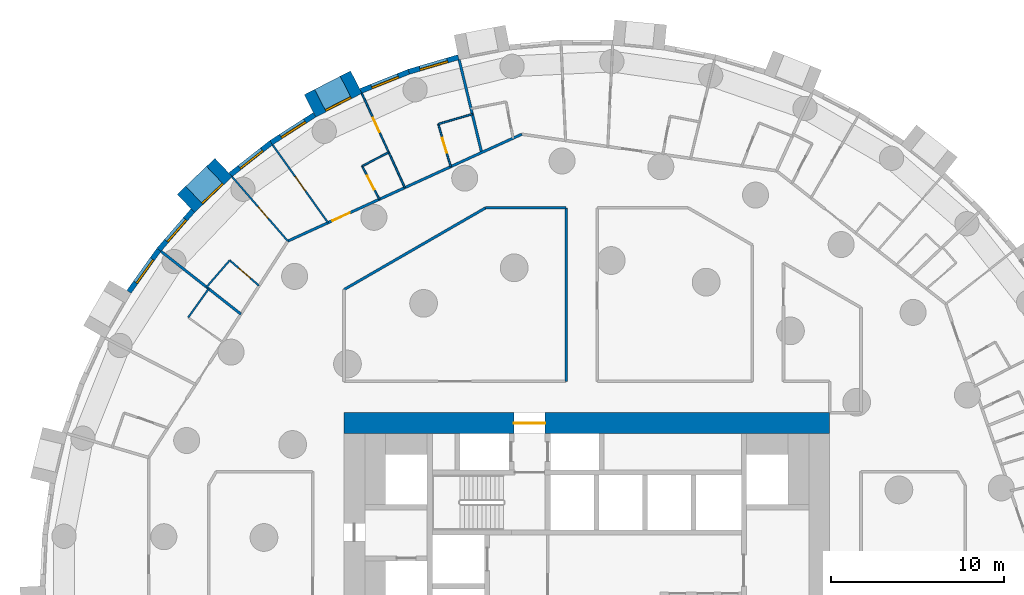
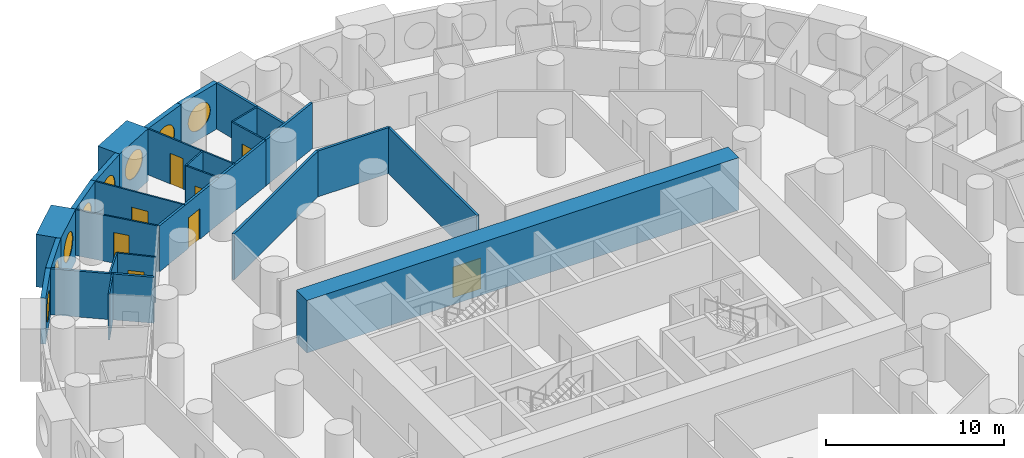
# One storey, part 7 of 12: 27 walls, 8 doors, 8 windows, 16 openings.
"""IFC4 building model written with IfcOpenShell, lengths in metres."""

import ifcopenshell
import ifcopenshell.guid

model = None  # the IFC model being written
_history = None  # IfcOwnerHistory: only IFC2X3 demands one
_inside = {}  # id of a spatial element -> (the spatial element, [elements in it])
_under = {}  # id of a project, library or spatial element -> (it, [spatial elements below it])
_declared = {}  # id of a project -> (the project, [libraries it declares])
_typed = {}  # id of a type object -> (the type object, [elements of that type])
_made_of = {}  # id of a material, layer set ... -> (it, [elements and type objects made of it])


def new_model(schema):
    """Start an empty IFC model of exactly this schema.

    Asked for "IFC4X3", IfcOpenShell would pick the latest addendum, in which some entities
    have other attributes; the version numbers below select the first issue.
    IFC2X3 requires an IfcOwnerHistory on every rooted entity: one is made here for all.
    """
    global model, _history
    if schema == "IFC4X3":
        model = ifcopenshell.file(schema_version=(4, 3, 0, 0))
    else:
        model = ifcopenshell.file(schema=schema)
    _inside.clear()
    _under.clear()
    _declared.clear()
    _typed.clear()
    _made_of.clear()
    _history = None
    if model.schema == "IFC2X3":
        org = make("IfcOrganization", Name="unknown")
        user = make(
            "IfcPersonAndOrganization",
            ThePerson=make("IfcPerson", FamilyName="unknown"),
            TheOrganization=org,
        )
        app = make(
            "IfcApplication",
            ApplicationDeveloper=org,
            Version="unknown",
            ApplicationFullName="unknown",
            ApplicationIdentifier="unknown",
        )
        _history = make(
            "IfcOwnerHistory",
            OwningUser=user,
            OwningApplication=app,
            ChangeAction="ADDED",
            CreationDate=0,
        )
    return model


def make(cls, **values):
    """One entity of the class cls with the attributes given. An attribute that is None is left unset."""
    return model.create_entity(
        cls, **{name: value for name, value in values.items() if value is not None}
    )


def rooted(cls, **values):
    """An entity with a GlobalId (a new one), such as an element, a storey or a relation."""
    return make(cls, GlobalId=ifcopenshell.guid.new(), OwnerHistory=_history, **values)


def si_unit(unit_type, name, prefix=None):
    """IfcSIUnit, for example si_unit("LENGTHUNIT", "METRE", prefix="MILLI")."""
    return make("IfcSIUnit", UnitType=unit_type, Prefix=prefix, Name=name)


def assignment(units):
    """IfcUnitAssignment: the units of a project."""
    return None if units is None else make("IfcUnitAssignment", Units=units)


def point(xyz):
    """IfcCartesianPoint."""
    return None if xyz is None else make("IfcCartesianPoint", Coordinates=xyz)


def direction(xyz):
    """IfcDirection."""
    return None if xyz is None else make("IfcDirection", DirectionRatios=xyz)


def frame(location, z_axis=None, x_axis=None):
    """IfcAxis2Placement3D, a coordinate frame: its origin and axes. An axis left out is left unset."""
    return make(
        "IfcAxis2Placement3D",
        Location=point(location),
        Axis=direction(z_axis),
        RefDirection=direction(x_axis),
    )


def frame_2d(location, x_axis=None):
    """IfcAxis2Placement2D, a coordinate frame in the plane: its origin and x axis."""
    return make(
        "IfcAxis2Placement2D", Location=point(location), RefDirection=direction(x_axis)
    )


def origin():
    """The frame at (0, 0, 0) with its axes left unset."""
    return frame((0.0, 0.0, 0.0))


def origin_2d():
    """The frame at (0, 0) in the plane with its x axis left unset."""
    return frame_2d((0.0, 0.0))


def place(relative_to, where):
    """IfcLocalPlacement: puts the frame where relative to a parent placement (None: the world)."""
    return make(
        "IfcLocalPlacement", PlacementRelTo=relative_to, RelativePlacement=where
    )


def context(
    kind, dimensions, precision=None, world=None, true_north=None, identifier=None
):
    """IfcGeometricRepresentationContext, for example the 3D "Model" context."""
    return make(
        "IfcGeometricRepresentationContext",
        ContextIdentifier=identifier,
        ContextType=kind,
        CoordinateSpaceDimension=dimensions,
        Precision=precision,
        WorldCoordinateSystem=world,
        TrueNorth=true_north,
    )


def subcontext(parent, identifier, kind, view, scale=None):
    """IfcGeometricRepresentationSubContext, for example "Body" below "Model"."""
    return make(
        "IfcGeometricRepresentationSubContext",
        ContextIdentifier=identifier,
        ContextType=kind,
        ParentContext=parent,
        TargetScale=scale,
        TargetView=view,
    )


def project(units=None, contexts=None):
    """IfcProject with its units and contexts."""
    return rooted(
        "IfcProject",
        Name="project",
        RepresentationContexts=contexts,
        UnitsInContext=assignment(units),
    )


def spatial(cls, under=None, at=None, **own):
    """A site, building, storey or space (cls), placed at a placement, below another one or the project."""
    s = rooted(cls, ObjectPlacement=at, **own)
    if under is not None:
        _under.setdefault(under.id(), (under, []))[1].append(s)
    return s


def profile(cls, at=None, kind="AREA", **sizes):
    """A parametric profile (cls). Its sizes go by their IFC names, for example OverallWidth=200.0."""
    return make(cls, ProfileType=kind, Position=at, **sizes)


def rectangle(**sizes):
    """IfcRectangleProfileDef."""
    return profile("IfcRectangleProfileDef", **sizes)


def circle(**sizes):
    """IfcCircleProfileDef."""
    return profile("IfcCircleProfileDef", **sizes)


def extrude(swept, where, along, depth):
    """IfcExtrudedAreaSolid: the profile swept, set in the frame where, extruded along a direction by depth."""
    return make(
        "IfcExtrudedAreaSolid",
        SweptArea=swept,
        Position=where,
        ExtrudedDirection=direction(along),
        Depth=depth,
    )


def shape(context_of_items, identifier, shape_type, items):
    """IfcShapeRepresentation: the items that make up one representation, for example the "Body"."""
    return make(
        "IfcShapeRepresentation",
        ContextOfItems=context_of_items,
        RepresentationIdentifier=identifier,
        RepresentationType=shape_type,
        Items=items,
    )


def material(Name=None, Category=None):
    """IfcMaterial."""
    return make("IfcMaterial", Name=Name, Category=Category)


def layer(
    of_material, thickness, ventilated=None, Name=None, Category=None, Priority=None
):
    """IfcMaterialLayer: one layer of a wall or slab, of a material (None: an air gap)."""
    return make(
        "IfcMaterialLayer",
        Material=of_material,
        LayerThickness=thickness,
        IsVentilated=ventilated,
        Name=Name,
        Category=Category,
        Priority=Priority,
    )


def layer_set(layers, Name=None):
    """IfcMaterialLayerSet."""
    return make("IfcMaterialLayerSet", MaterialLayers=layers, LayerSetName=Name)


def made_of(thing, what):
    """Note that an element or type object is made of a material, layer set ...; save() writes the relation."""
    if what is not None:
        _made_of.setdefault(what.id(), (what, []))[1].append(thing)
    return thing


def type_object(cls, material=None, **own):
    """A type object (cls), such as IfcWallType, which elements share."""
    return made_of(rooted(cls, **own), material)


def element(
    cls,
    number,
    at=None,
    inside=None,
    cuts=None,
    type_object=None,
    material=None,
    context=None,
    identifier="Body",
    shape_type=None,
    held_by="IfcProductDefinitionShape",
    body=None,
    shapes=None,
    **own,
):
    """One element of the class cls, such as IfcWall. Its Tag is "e" and its number.

    at: its placement. inside: the storey or other place that contains it. cuts: it is an
    opening in that element (IfcRelVoidsElement). A single representation is given by context,
    identifier, shape_type and body (its items); several are given by shapes. held_by: the class
    of the entity that holds the representations. save() writes the other relations.
    """
    e = rooted(cls, Tag="e%d" % number, ObjectPlacement=at, **own)
    if body is not None:
        shapes = [shape(context, identifier, shape_type, body)]
    if shapes is not None:
        e.Representation = make(held_by, Representations=shapes)
    if inside is not None:
        _inside.setdefault(inside.id(), (inside, []))[1].append(e)
    if cuts is not None:
        rooted(
            "IfcRelVoidsElement", RelatingBuildingElement=cuts, RelatedOpeningElement=e
        )
    if type_object is not None:
        _typed.setdefault(type_object.id(), (type_object, []))[1].append(e)
    return made_of(e, material)


def fill(opening, filler):
    """IfcRelFillsElement: the door or window that sits in an opening."""
    return rooted(
        "IfcRelFillsElement",
        RelatingOpeningElement=opening,
        RelatedBuildingElement=filler,
    )


def aggregate(whole, parts):
    """IfcRelAggregates: a whole, such as a stair, and the parts it consists of."""
    return rooted("IfcRelAggregates", RelatingObject=whole, RelatedObjects=parts)


def save(model, path):
    """Write the relations noted so far, then the file.

    IfcRelAggregates (storeys below a building ...), IfcRelContainedInSpatialStructure (elements
    in a storey), IfcRelDefinesByType, IfcRelAssociatesMaterial and IfcRelDeclares: one each for
    every whole, place, type object, material and project.
    """
    for whole, parts in _under.values():
        aggregate(whole, parts)
    for where, things in _inside.values():
        rooted(
            "IfcRelContainedInSpatialStructure",
            RelatedElements=things,
            RelatingStructure=where,
        )
    for kind, things in _typed.values():
        rooted("IfcRelDefinesByType", RelatedObjects=things, RelatingType=kind)
    for what, things in _made_of.values():
        rooted("IfcRelAssociatesMaterial", RelatedObjects=things, RelatingMaterial=what)
    for by, libraries in _declared.values():
        rooted("IfcRelDeclares", RelatingContext=by, RelatedDefinitions=libraries)
    model.write(path)


model = new_model("IFC4")

# Units and contexts
model_context = context("Model", 3, precision=1e-05, world=origin(), true_north=direction((0.0, 1.0)))
body_context = subcontext(model_context, "Body", "Model", "MODEL_VIEW")
ifc_project = project(units=[si_unit("LENGTHUNIT", "METRE"), si_unit("AREAUNIT", "SQUARE_METRE"), si_unit("VOLUMEUNIT", "CUBIC_METRE"), si_unit("PLANEANGLEUNIT", "RADIAN"), si_unit("MASSUNIT", "GRAM", prefix="KILO")], contexts=[model_context])

# Site, building, storey
site_placement = place(None, origin())
site = spatial("IfcSite", under=ifc_project, at=site_placement, CompositionType="ELEMENT")
building_placement = place(site_placement, origin())
building = spatial("IfcBuilding", under=site, at=building_placement, Name="Tracery Tower", CompositionType="ELEMENT")
storey_placement = place(building_placement, frame((0.0, 0.0, 39.0)))
storey = spatial("IfcBuildingStorey", under=building, at=storey_placement, Name="L08", CompositionType="ELEMENT", Elevation=39.0)

# Wall, opening, door
ifc_material_1 = material(Name="Concrete C60/75", Category="concrete")
ifc_layer_1 = layer(ifc_material_1, 1.199951171875)
ifc_layer_set_1 = layer_set([ifc_layer_1], Name="Core wall 1200 C60")
wall_type_1 = type_object("IfcWallType", Name="Core wall 1200 C60", PredefinedType="SOLIDWALL", material=ifc_layer_set_1)
wall_1_placement = place(storey_placement, frame((-14.0, 9.39990234375, 0.0), z_axis=(0.0, 0.0, 1.0), x_axis=(1.0, 0.0, 0.0)))
wall_1 = element("IfcWall", 1, at=wall_1_placement, inside=storey, type_object=wall_type_1, Name="L08 outer N", PredefinedType="SOLIDWALL", context=body_context, shape_type="SweptSolid", body=[
    extrude(rectangle(XDim=28.0, YDim=1.199951171875, at=frame_2d((14.0, 0.0))), origin(), (0.0, 0.0, 1.0), 3.60009765625),
])
opening_1_placement = place(wall_1_placement, frame((9.800048828125, 0.0, 0.0)))
opening_1 = element("IfcOpeningElement", 2, at=opening_1_placement, cuts=wall_1, Name="Opening KD13", PredefinedType="OPENING", context=body_context, shape_type="SweptSolid", body=[
    extrude(rectangle(XDim=1.800048828125, YDim=2.10009765625, at=frame_2d((0.89990234375, 1.050048828125))), frame((0.0, 0.60009765625, 0.0), z_axis=(0.0, -1.0, 0.0), x_axis=(1.0, 0.0, 0.0)), (0.0, 0.0, 1.0), 1.199951171875),
])
ifc_material_2 = material(Name="Steel fire door", Category="steel")
door_type_1 = type_object("IfcDoorType", Name="Core exit door 1800 double", OperationType="NOTDEFINED", PredefinedType="DOOR", material=ifc_material_2)
door_1_placement = place(opening_1_placement, origin())
door_1 = element("IfcDoor", 3, at=door_1_placement, inside=storey, type_object=door_type_1, Name="Core exit door", OperationType="DOUBLE_DOOR_SINGLE_SWING", OverallHeight=2.10009765625, OverallWidth=1.800048828125, PredefinedType="DOOR", context=body_context, shape_type="SweptSolid", body=[
    extrude(rectangle(XDim=1.800048828125, YDim=2.10009765625, at=frame_2d((0.89990234375, 1.050048828125))), frame((0.0, 0.02490234375, 0.0), z_axis=(0.0, -1.0, 0.0), x_axis=(1.0, 0.0, 0.0)), (0.0, 0.0, 1.0), 0.050048828125),
])
fill(opening_1, door_1)

# Wall, opening, window
ifc_material_3 = material(Name="Precast concrete C50/60", Category="concrete")
ifc_layer_2 = layer(ifc_material_3, 1.449951171875)
ifc_layer_set_2 = layer_set([ifc_layer_2], Name="Deep-set bay unit 3000 x 3600, slab edge 450")
wall_type_2 = type_object("IfcWallType", Name="Deep-set bay unit 3000 x 3600, slab edge 450", PredefinedType="ELEMENTEDWALL", material=ifc_layer_set_2)
wall_2_placement = place(storey_placement, frame((-13.29052734375, 29.053466796875, -0.449951171875), z_axis=(0.0, 0.0, 1.0), x_axis=(-0.888858064689, -0.458182650083, 0.0)))
wall_2 = element("IfcWall", 4, at=wall_2_placement, inside=storey, type_object=wall_type_2, Name="Deep-set bay unit 22 at L08", PredefinedType="ELEMENTEDWALL", context=body_context, shape_type="SweptSolid", body=[
    extrude(rectangle(XDim=3.0, YDim=1.449951171875, at=frame_2d((1.5, 0.0))), origin(), (0.0, 0.0, 1.0), 3.599853515625),
])
opening_2_placement = place(wall_2_placement, frame((1.5, 0.0, 2.0)))
opening_2 = element("IfcOpeningElement", 5, at=opening_2_placement, cuts=wall_2, Name="Opening WN1", PredefinedType="OPENING", context=body_context, shape_type="SweptSolid", body=[
    extrude(circle(Radius=0.9000244140625, at=origin_2d()), frame((0.0, 0.73486328125, 0.0), z_axis=(0.0, -1.0, 0.0), x_axis=(1.0, 0.0, 0.0)), (0.0, 0.0, 1.0), 1.469970703125),
])
ifc_material_4 = material(Name="Aluminium frame with tinted double glazing", Category="aluminium")
window_type = type_object("IfcWindowType", Name="Round window 1800", PartitioningType="SINGLE_PANEL", PredefinedType="WINDOW", material=ifc_material_4)
window_1_placement = place(opening_2_placement, origin())
window_1 = element("IfcWindow", 6, at=window_1_placement, inside=storey, type_object=window_type, Name="Round window 22 at L08", OverallHeight=1.800048828125, OverallWidth=1.800048828125, PartitioningType="SINGLE_PANEL", PredefinedType="WINDOW", context=body_context, shape_type="SweptSolid", body=[
    extrude(circle(Radius=0.9000244140625, at=origin_2d()), frame((0.0, 0.69482421875, 0.0), z_axis=(0.0, -1.0, 0.0), x_axis=(1.0, 0.0, 0.0)), (0.0, 0.0, 1.0), 0.10009765625),
])
fill(opening_2, window_1)

wall_3_placement = place(storey_placement, frame((-20.9375, 24.13232421875, -0.449951171875), z_axis=(0.0, 0.0, 1.0), x_axis=(-0.723712023899, -0.690102098579, 0.0)))
wall_3 = element("IfcWall", 7, at=wall_3_placement, inside=storey, type_object=wall_type_2, Name="Deep-set bay unit 25 at L08", PredefinedType="ELEMENTEDWALL", context=body_context, shape_type="SweptSolid", body=[
    extrude(rectangle(XDim=3.0, YDim=1.449951171875, at=frame_2d((1.5, 0.0))), origin(), (0.0, 0.0, 1.0), 3.599853515625),
])
opening_3_placement = place(wall_3_placement, frame((1.5, 0.0, 2.0)))
opening_3 = element("IfcOpeningElement", 8, at=opening_3_placement, cuts=wall_3, Name="Opening WN1", PredefinedType="OPENING", context=body_context, shape_type="SweptSolid", body=[
    extrude(circle(Radius=0.9000244140625, at=origin_2d()), frame((0.0, 0.73486328125, 0.0), z_axis=(0.0, -1.0, 0.0), x_axis=(1.0, 0.0, 0.0)), (0.0, 0.0, 1.0), 1.469970703125),
])
window_2_placement = place(opening_3_placement, origin())
window_2 = element("IfcWindow", 9, at=window_2_placement, inside=storey, type_object=window_type, Name="Round window 25 at L08", OverallHeight=1.800048828125, OverallWidth=1.800048828125, PartitioningType="SINGLE_PANEL", PredefinedType="WINDOW", context=body_context, shape_type="SweptSolid", body=[
    extrude(circle(Radius=0.9000244140625, at=origin_2d()), frame((0.0, 0.69482421875, 0.0), z_axis=(0.0, -1.0, 0.0), x_axis=(1.0, 0.0, 0.0)), (0.0, 0.0, 1.0), 0.10009765625),
])
fill(opening_3, window_2)

ifc_material_5 = material(Name="Precast concrete C50/60", Category="concrete")
ifc_layer_3 = layer(ifc_material_5, 0.300048828125)
ifc_layer_set_3 = layer_set([ifc_layer_3], Name="Facade panel 3000 x 3150")
wall_type_3 = type_object("IfcWallType", Name="Facade panel 3000 x 3150", PredefinedType="SOLIDWALL", material=ifc_layer_set_3)
wall_4_placement = place(storey_placement, frame((-7.402587890625, 30.48828125, 0.0), z_axis=(0.0, 0.0, 1.0), x_axis=(-0.959501085144, -0.281704930036, 0.0)))
wall_4 = element("IfcWall", 10, at=wall_4_placement, inside=storey, type_object=wall_type_3, Name="Facade panel 20 at L08", PredefinedType="SOLIDWALL", context=body_context, shape_type="SweptSolid", body=[
    extrude(rectangle(XDim=2.9794921875, YDim=0.300048828125, at=frame_2d((1.48974609375, 0.0))), origin(), (0.0, 0.0, 1.0), 3.14990234375),
])
opening_4_placement = place(wall_4_placement, frame((1.48974609375, 0.0, 1.5498046875)))
opening_4 = element("IfcOpeningElement", 11, at=opening_4_placement, cuts=wall_4, Name="Opening WN1", PredefinedType="OPENING", context=body_context, shape_type="SweptSolid", body=[
    extrude(circle(Radius=0.9000244140625, at=origin_2d()), frame((0.0, 0.159912109375, 0.0), z_axis=(0.0, -1.0, 0.0), x_axis=(1.0, 0.0, 0.0)), (0.0, 0.0, 1.0), 0.320068359375),
])
window_3_placement = place(opening_4_placement, origin())
window_3 = element("IfcWindow", 12, at=window_3_placement, inside=storey, type_object=window_type, Name="Round window 20 at L08", OverallHeight=1.800048828125, OverallWidth=1.800048828125, PartitioningType="SINGLE_PANEL", PredefinedType="WINDOW", context=body_context, shape_type="SweptSolid", body=[
    extrude(circle(Radius=0.9000244140625, at=origin_2d()), frame((0.0, 0.1201171875, 0.0), z_axis=(0.0, -1.0, 0.0), x_axis=(1.0, 0.0, 0.0)), (0.0, 0.0, 1.0), 0.10009765625),
])
fill(opening_4, window_3)

wall_5_placement = place(storey_placement, frame((-10.261474609375, 29.64892578125, 0.0), z_axis=(0.0, 0.0, 1.0), x_axis=(-0.928374947, -0.371644935098, 0.0)))
wall_5 = element("IfcWall", 13, at=wall_5_placement, inside=storey, type_object=wall_type_3, Name="Facade panel 21 at L08", PredefinedType="SOLIDWALL", context=body_context, shape_type="SweptSolid", body=[
    extrude(rectangle(XDim=2.979736328125, YDim=0.300048828125, at=frame_2d((1.48974609375, 0.0))), origin(), (0.0, 0.0, 1.0), 3.14990234375),
])
opening_5_placement = place(wall_5_placement, frame((1.48974609375, 0.0, 1.5498046875)))
opening_5 = element("IfcOpeningElement", 14, at=opening_5_placement, cuts=wall_5, Name="Opening WN1", PredefinedType="OPENING", context=body_context, shape_type="SweptSolid", body=[
    extrude(circle(Radius=0.9000244140625, at=origin_2d()), frame((0.0, 0.159912109375, 0.0), z_axis=(0.0, -1.0, 0.0), x_axis=(1.0, 0.0, 0.0)), (0.0, 0.0, 1.0), 0.320068359375),
])
window_4_placement = place(opening_5_placement, origin())
window_4 = element("IfcWindow", 15, at=window_4_placement, inside=storey, type_object=window_type, Name="Round window 21 at L08", OverallHeight=1.800048828125, OverallWidth=1.800048828125, PartitioningType="SINGLE_PANEL", PredefinedType="WINDOW", context=body_context, shape_type="SweptSolid", body=[
    extrude(circle(Radius=0.9000244140625, at=origin_2d()), frame((0.0, 0.1201171875, 0.0), z_axis=(0.0, -1.0, 0.0), x_axis=(1.0, 0.0, 0.0)), (0.0, 0.0, 1.0), 0.10009765625),
])
fill(opening_5, window_4)

wall_6_placement = place(storey_placement, frame((-15.6923828125, 27.167724609375, 0.0), z_axis=(0.0, 0.0, 1.0), x_axis=(-0.841260995538, -0.54062920508, 0.0)))
wall_6 = element("IfcWall", 16, at=wall_6_placement, inside=storey, type_object=wall_type_3, Name="Facade panel 23 at L08", PredefinedType="SOLIDWALL", context=body_context, shape_type="SweptSolid", body=[
    extrude(rectangle(XDim=2.9794921875, YDim=0.300048828125, at=frame_2d((1.48974609375, 0.0))), origin(), (0.0, 0.0, 1.0), 3.14990234375),
])
opening_6_placement = place(wall_6_placement, frame((1.48974609375, 0.0, 1.5498046875)))
opening_6 = element("IfcOpeningElement", 17, at=opening_6_placement, cuts=wall_6, Name="Opening WN1", PredefinedType="OPENING", context=body_context, shape_type="SweptSolid", body=[
    extrude(circle(Radius=0.9000244140625, at=origin_2d()), frame((0.0, 0.159912109375, 0.0), z_axis=(0.0, -1.0, 0.0), x_axis=(1.0, 0.0, 0.0)), (0.0, 0.0, 1.0), 0.320068359375),
])
window_5_placement = place(opening_6_placement, origin())
window_5 = element("IfcWindow", 18, at=window_5_placement, inside=storey, type_object=window_type, Name="Round window 23 at L08", OverallHeight=1.800048828125, OverallWidth=1.800048828125, PartitioningType="SINGLE_PANEL", PredefinedType="WINDOW", context=body_context, shape_type="SweptSolid", body=[
    extrude(circle(Radius=0.9000244140625, at=origin_2d()), frame((0.0, 0.1201171875, 0.0), z_axis=(0.0, -1.0, 0.0), x_axis=(1.0, 0.0, 0.0)), (0.0, 0.0, 1.0), 0.10009765625),
])
fill(opening_6, window_5)

wall_7_placement = place(storey_placement, frame((-18.198974609375, 25.556884765625, 0.0), z_axis=(0.0, 0.0, 1.0), x_axis=(-0.786053834673, -0.618158045322, 0.0)))
wall_7 = element("IfcWall", 19, at=wall_7_placement, inside=storey, type_object=wall_type_3, Name="Facade panel 24 at L08", PredefinedType="SOLIDWALL", context=body_context, shape_type="SweptSolid", body=[
    extrude(rectangle(XDim=2.9794921875, YDim=0.300048828125, at=frame_2d((1.48974609375, 0.0))), origin(), (0.0, 0.0, 1.0), 3.14990234375),
])
opening_7_placement = place(wall_7_placement, frame((1.48974609375, 0.0, 1.5498046875)))
opening_7 = element("IfcOpeningElement", 20, at=opening_7_placement, cuts=wall_7, Name="Opening WN1", PredefinedType="OPENING", context=body_context, shape_type="SweptSolid", body=[
    extrude(circle(Radius=0.9000244140625, at=origin_2d()), frame((0.0, 0.159912109375, 0.0), z_axis=(0.0, -1.0, 0.0), x_axis=(1.0, 0.0, 0.0)), (0.0, 0.0, 1.0), 0.320068359375),
])
window_6_placement = place(opening_7_placement, origin())
window_6 = element("IfcWindow", 21, at=window_6_placement, inside=storey, type_object=window_type, Name="Round window 24 at L08", OverallHeight=1.800048828125, OverallWidth=1.800048828125, PartitioningType="SINGLE_PANEL", PredefinedType="WINDOW", context=body_context, shape_type="SweptSolid", body=[
    extrude(circle(Radius=0.9000244140625, at=origin_2d()), frame((0.0, 0.1201171875, 0.0), z_axis=(0.0, -1.0, 0.0), x_axis=(1.0, 0.0, 0.0)), (0.0, 0.0, 1.0), 0.10009765625),
])
fill(opening_7, window_6)

wall_8_placement = place(storey_placement, frame((-22.710693359375, 21.646240234375, 0.0), z_axis=(0.0, 0.0, 1.0), x_axis=(-0.654830712471, -0.755775587066, 0.0)))
wall_8 = element("IfcWall", 22, at=wall_8_placement, inside=storey, type_object=wall_type_3, Name="Facade panel 26 at L08", PredefinedType="SOLIDWALL", context=body_context, shape_type="SweptSolid", body=[
    extrude(rectangle(XDim=2.979736328125, YDim=0.300048828125, at=frame_2d((1.48974609375, 0.0))), origin(), (0.0, 0.0, 1.0), 3.14990234375),
])
opening_8_placement = place(wall_8_placement, frame((1.48974609375, 0.0, 1.5498046875)))
opening_8 = element("IfcOpeningElement", 23, at=opening_8_placement, cuts=wall_8, Name="Opening WN1", PredefinedType="OPENING", context=body_context, shape_type="SweptSolid", body=[
    extrude(circle(Radius=0.9000244140625, at=origin_2d()), frame((0.0, 0.159912109375, 0.0), z_axis=(0.0, -1.0, 0.0), x_axis=(1.0, 0.0, 0.0)), (0.0, 0.0, 1.0), 0.320068359375),
])
window_7_placement = place(opening_8_placement, origin())
window_7 = element("IfcWindow", 24, at=window_7_placement, inside=storey, type_object=window_type, Name="Round window 26 at L08", OverallHeight=1.800048828125, OverallWidth=1.800048828125, PartitioningType="SINGLE_PANEL", PredefinedType="WINDOW", context=body_context, shape_type="SweptSolid", body=[
    extrude(circle(Radius=0.9000244140625, at=origin_2d()), frame((0.0, 0.1201171875, 0.0), z_axis=(0.0, -1.0, 0.0), x_axis=(1.0, 0.0, 0.0)), (0.0, 0.0, 1.0), 0.10009765625),
])
fill(opening_8, window_7)

wall_9_placement = place(storey_placement, frame((-24.661865234375, 19.394287109375, 0.0), z_axis=(0.0, 0.0, 1.0), x_axis=(-0.580113774115, -0.814535456, 0.0)))
wall_9 = element("IfcWall", 25, at=wall_9_placement, inside=storey, type_object=wall_type_3, Name="Facade panel 27 at L08", PredefinedType="SOLIDWALL", context=body_context, shape_type="SweptSolid", body=[
    extrude(rectangle(XDim=2.979736328125, YDim=0.300048828125, at=frame_2d((1.48974609375, 0.0))), origin(), (0.0, 0.0, 1.0), 3.14990234375),
])
opening_9_placement = place(wall_9_placement, frame((1.48974609375, 0.0, 1.5498046875)))
opening_9 = element("IfcOpeningElement", 26, at=opening_9_placement, cuts=wall_9, Name="Opening WN1", PredefinedType="OPENING", context=body_context, shape_type="SweptSolid", body=[
    extrude(circle(Radius=0.9000244140625, at=origin_2d()), frame((0.0, 0.159912109375, 0.0), z_axis=(0.0, -1.0, 0.0), x_axis=(1.0, 0.0, 0.0)), (0.0, 0.0, 1.0), 0.320068359375),
])
window_8_placement = place(opening_9_placement, origin())
window_8 = element("IfcWindow", 27, at=window_8_placement, inside=storey, type_object=window_type, Name="Round window 27 at L08", OverallHeight=1.800048828125, OverallWidth=1.800048828125, PartitioningType="SINGLE_PANEL", PredefinedType="WINDOW", context=body_context, shape_type="SweptSolid", body=[
    extrude(circle(Radius=0.9000244140625, at=origin_2d()), frame((0.0, 0.1201171875, 0.0), z_axis=(0.0, -1.0, 0.0), x_axis=(1.0, 0.0, 0.0)), (0.0, 0.0, 1.0), 0.10009765625),
])
fill(opening_9, window_8)

# Wall, opening, door
ifc_material_6 = material(Name="Plasterboard on steel studs", Category="steel")
ifc_layer_4 = layer(ifc_material_6, 0.10009765625)
ifc_layer_set_4 = layer_set([ifc_layer_4], Name="Partition 100 stud")
wall_type_4 = type_object("IfcWallType", Name="Partition 100 stud", PredefinedType="PARTITIONING", material=ifc_layer_set_4)
wall_10_placement = place(storey_placement, frame((-18.112060546875, 25.43505859375, 0.0), z_axis=(0.0, 0.0, 1.0), x_axis=(0.580004598464, -0.81461320009, 0.0)))
wall_10 = element("IfcWall", 28, at=wall_10_placement, inside=storey, type_object=wall_type_4, Name="Stud partition RA2-101", PredefinedType="PARTITIONING", context=body_context, shape_type="SweptSolid", body=[
    extrude(rectangle(XDim=5.507080078125, YDim=0.10009765625, at=frame_2d((2.75341796875, 0.0))), origin(), (0.0, 0.0, 1.0), 3.14990234375),
])
opening_10_placement = place(wall_10_placement, frame((2.25390625, 0.0, 0.0)))
opening_10 = element("IfcOpeningElement", 29, at=opening_10_placement, cuts=wall_10, Name="Opening RA2-35", PredefinedType="OPENING", context=body_context, shape_type="SweptSolid", body=[
    extrude(rectangle(XDim=1.0, YDim=2.0400390625, at=frame_2d((0.5, 1.02001953125))), frame((0.0, 0.050048828125, 0.0), z_axis=(0.0, -1.0, 0.0), x_axis=(1.0, 0.0, 0.0)), (0.0, 0.0, 1.0), 0.10009765625),
])
ifc_material_7 = material(Name="Timber door leaf", Category="wood")
door_type_2 = type_object("IfcDoorType", Name="Door communal room 1000", OperationType="NOTDEFINED", PredefinedType="DOOR", material=ifc_material_7)
door_2_placement = place(opening_10_placement, origin())
door_2 = element("IfcDoor", 30, at=door_2_placement, inside=storey, type_object=door_type_2, Name="Communal room door RA2-35", OperationType="SINGLE_SWING_LEFT", OverallHeight=2.0400390625, OverallWidth=1.0, PredefinedType="DOOR", context=body_context, shape_type="SweptSolid", body=[
    extrude(rectangle(XDim=1.0, YDim=2.0400390625, at=frame_2d((0.5, 1.02001953125))), frame((0.0, 0.02490234375, 0.0), z_axis=(0.0, -1.0, 0.0), x_axis=(1.0, 0.0, 0.0)), (0.0, 0.0, 1.0), 0.050048828125),
])
fill(opening_10, door_2)

wall_11_placement = place(storey_placement, frame((-12.970947265625, 28.403076171875, 0.0), z_axis=(0.0, 0.0, 1.0), x_axis=(0.415455663581, -0.909613429759, 0.0)))
wall_11 = element("IfcWall", 31, at=wall_11_placement, inside=storey, type_object=wall_type_4, Name="Stud partition RA2-104", PredefinedType="PARTITIONING", context=body_context, shape_type="SweptSolid", body=[
    extrude(rectangle(XDim=3.738037109375, YDim=0.10009765625, at=frame_2d((1.869140625, 0.0))), origin(), (0.0, 0.0, 1.0), 3.14990234375),
])
opening_11_placement = place(wall_11_placement, frame((1.541015625, 0.0, 0.0)))
opening_11 = element("IfcOpeningElement", 32, at=opening_11_placement, cuts=wall_11, Name="Opening RA2-37", PredefinedType="OPENING", context=body_context, shape_type="SweptSolid", body=[
    extrude(rectangle(XDim=0.89990234375, YDim=2.10009765625, at=frame_2d((0.449951171875, 1.050048828125))), frame((0.0, 0.050048828125, 0.0), z_axis=(0.0, -1.0, 0.0), x_axis=(1.0, 0.0, 0.0)), (0.0, 0.0, 1.0), 0.10009765625),
])
ifc_material_8 = material(Name="Timber door leaf", Category="wood")
door_type_3 = type_object("IfcDoorType", Name="Door bedroom 900", OperationType="NOTDEFINED", PredefinedType="DOOR", material=ifc_material_8)
door_3_placement = place(opening_11_placement, origin())
door_3 = element("IfcDoor", 33, at=door_3_placement, inside=storey, type_object=door_type_3, Name="Bedroom door RA2-37", OperationType="SINGLE_SWING_RIGHT", OverallHeight=2.10009765625, OverallWidth=0.89990234375, PredefinedType="DOOR", context=body_context, shape_type="SweptSolid", body=[
    extrude(rectangle(XDim=0.89990234375, YDim=2.10009765625, at=frame_2d((0.449951171875, 1.050048828125))), frame((0.0, 0.02490234375, 0.0), z_axis=(0.0, -1.0, 0.0), x_axis=(1.0, 0.0, 0.0)), (0.0, 0.0, 1.0), 0.050048828125),
])
fill(opening_11, door_3)

wall_12_placement = place(storey_placement, frame((-20.447998046875, 23.597900390625, 0.0), z_axis=(0.0, 0.0, 1.0), x_axis=(0.654847179409, -0.755761319214, 0.0)))
wall_12 = element("IfcWall", 34, at=wall_12_placement, inside=storey, type_object=wall_type_4, Name="Stud partition RA2-105", PredefinedType="PARTITIONING", context=body_context, shape_type="SweptSolid", body=[
    extrude(rectangle(XDim=4.90625, YDim=0.10009765625, at=frame_2d((2.453125, 0.0))), origin(), (0.0, 0.0, 1.0), 3.14990234375),
])
opening_12_placement = place(wall_12_placement, frame((2.2724609375, 0.0, 0.0)))
opening_12 = element("IfcOpeningElement", 35, at=opening_12_placement, cuts=wall_12, Name="Opening RA2-39", PredefinedType="OPENING", context=body_context, shape_type="SweptSolid", body=[
    extrude(rectangle(XDim=0.89990234375, YDim=2.10009765625, at=frame_2d((0.449951171875, 1.050048828125))), frame((0.0, 0.050048828125, 0.0), z_axis=(0.0, -1.0, 0.0), x_axis=(1.0, 0.0, 0.0)), (0.0, 0.0, 1.0), 0.10009765625),
])
door_4_placement = place(opening_12_placement, origin())
door_4 = element("IfcDoor", 36, at=door_4_placement, inside=storey, type_object=door_type_3, Name="Bedroom door RA2-39", OperationType="SINGLE_SWING_LEFT", OverallHeight=2.10009765625, OverallWidth=0.89990234375, PredefinedType="DOOR", context=body_context, shape_type="SweptSolid", body=[
    extrude(rectangle(XDim=0.89990234375, YDim=2.10009765625, at=frame_2d((0.449951171875, 1.050048828125))), frame((0.0, 0.02490234375, 0.0), z_axis=(0.0, -1.0, 0.0), x_axis=(1.0, 0.0, 0.0)), (0.0, 0.0, 1.0), 0.050048828125),
])
fill(opening_12, door_4)

# Wall
ifc_material_9 = material(Name="Plasterboard on steel studs", Category="steel")
ifc_layer_5 = layer(ifc_material_9, 0.10009765625)
ifc_layer_set_5 = layer_set([ifc_layer_5], Name="Partition 100 wet wall")
wall_type_5 = type_object("IfcWallType", Name="Partition 100 wet wall", PredefinedType="PARTITIONING", material=ifc_layer_set_5)
wall_13_placement = place(storey_placement, frame((-12.948974609375, 24.214111328125, 0.0), z_axis=(0.0, 0.0, 1.0), x_axis=(0.888946574069, 0.458010904292, 0.0)))
element("IfcWall", 37, at=wall_13_placement, inside=storey, type_object=wall_type_5, Name="Wet wall RA2-102", PredefinedType="PARTITIONING", context=body_context, shape_type="SweptSolid", body=[
    extrude(rectangle(XDim=1.72216796875, YDim=0.10009765625, at=frame_2d((0.861083984375, 0.0))), origin(), (0.0, 0.0, 1.0), 3.14990234375),
])

# Wall, opening, door
wall_14_placement = place(storey_placement, frame((-12.948974609375, 24.214111328125, 0.0), z_axis=(0.0, 0.0, 1.0), x_axis=(0.458149254338, -0.888875278512, 0.0)))
wall_14 = element("IfcWall", 38, at=wall_14_placement, inside=storey, type_object=wall_type_5, Name="Wet wall RA2-103", PredefinedType="PARTITIONING", context=body_context, shape_type="SweptSolid", body=[
    extrude(rectangle(XDim=2.154541015625, YDim=0.10009765625, at=frame_2d((1.0771484375, 0.0))), origin(), (0.0, 0.0, 1.0), 3.14990234375),
])
opening_13_placement = place(wall_14_placement, frame((0.626953125, 0.0, 0.0)))
opening_13 = element("IfcOpeningElement", 39, at=opening_13_placement, cuts=wall_14, Name="Opening RA2-36", PredefinedType="OPENING", context=body_context, shape_type="SweptSolid", body=[
    extrude(rectangle(XDim=0.89990234375, YDim=2.0, at=frame_2d((0.449951171875, 1.0))), frame((0.0, 0.050048828125, 0.0), z_axis=(0.0, -1.0, 0.0), x_axis=(1.0, 0.0, 0.0)), (0.0, 0.0, 1.0), 0.10009765625),
])
ifc_material_10 = material(Name="Timber door leaf", Category="wood")
door_type_4 = type_object("IfcDoorType", Name="Door shower room 900", OperationType="NOTDEFINED", PredefinedType="DOOR", material=ifc_material_10)
door_5_placement = place(opening_13_placement, origin())
door_5 = element("IfcDoor", 40, at=door_5_placement, inside=storey, type_object=door_type_4, Name="Shower room door RA2-36", OperationType="SINGLE_SWING_LEFT", OverallHeight=2.0, OverallWidth=0.89990234375, PredefinedType="DOOR", context=body_context, shape_type="SweptSolid", body=[
    extrude(rectangle(XDim=0.89990234375, YDim=2.0, at=frame_2d((0.449951171875, 1.0))), frame((0.0, 0.02490234375, 0.0), z_axis=(0.0, -1.0, 0.0), x_axis=(1.0, 0.0, 0.0)), (0.0, 0.0, 1.0), 0.050048828125),
])
fill(opening_13, door_5)

# Walls
wall_15_placement = place(storey_placement, frame((-11.41796875, 25.0029296875, 0.0), z_axis=(0.0, 0.0, 1.0), x_axis=(0.415416212057, -0.909631447764, 0.0)))
element("IfcWall", 41, at=wall_15_placement, inside=storey, type_object=wall_type_5, Name="Wet wall RA2-106", PredefinedType="PARTITIONING", context=body_context, shape_type="SweptSolid", body=[
    extrude(rectangle(XDim=2.23388671875, YDim=0.10009765625, at=frame_2d((1.116943359375, 0.0))), origin(), (0.0, 0.0, 1.0), 3.14990234375),
])
wall_16_placement = place(storey_placement, frame((-8.56494140625, 26.634033203125, 0.0), z_axis=(0.0, 0.0, 1.0), x_axis=(0.959587452417, 0.281410591777, 0.0)))
element("IfcWall", 42, at=wall_16_placement, inside=storey, type_object=wall_type_5, Name="Wet wall RA2-107", PredefinedType="PARTITIONING", context=body_context, shape_type="SweptSolid", body=[
    extrude(rectangle(XDim=2.046630859375, YDim=0.10009765625, at=frame_2d((1.0234375, 0.0))), origin(), (0.0, 0.0, 1.0), 3.14990234375),
])

# Wall, opening, door
wall_17_placement = place(storey_placement, frame((-8.56494140625, 26.634033203125, 0.0), z_axis=(0.0, 0.0, 1.0), x_axis=(0.281758205139, -0.959485442222, 0.0)))
wall_17 = element("IfcWall", 43, at=wall_17_placement, inside=storey, type_object=wall_type_5, Name="Wet wall RA2-108", PredefinedType="PARTITIONING", context=body_context, shape_type="SweptSolid", body=[
    extrude(rectangle(XDim=2.558837890625, YDim=0.10009765625, at=frame_2d((1.279296875, 0.0))), origin(), (0.0, 0.0, 1.0), 3.14990234375),
])
opening_14_placement = place(wall_17_placement, frame((0.8291015625, 0.0, 0.0)))
opening_14 = element("IfcOpeningElement", 44, at=opening_14_placement, cuts=wall_17, Name="Opening RA2-38", PredefinedType="OPENING", context=body_context, shape_type="SweptSolid", body=[
    extrude(rectangle(XDim=0.89990234375, YDim=2.0400390625, at=frame_2d((0.449951171875, 1.02001953125))), frame((0.0, 0.050048828125, 0.0), z_axis=(0.0, -1.0, 0.0), x_axis=(1.0, 0.0, 0.0)), (0.0, 0.0, 1.0), 0.10009765625),
])
ifc_material_11 = material(Name="Timber door leaf", Category="wood")
door_type_5 = type_object("IfcDoorType", Name="Door en-suite 900", OperationType="NOTDEFINED", PredefinedType="DOOR", material=ifc_material_11)
door_6_placement = place(opening_14_placement, origin())
door_6 = element("IfcDoor", 45, at=door_6_placement, inside=storey, type_object=door_type_5, Name="En-suite door RA2-38", OperationType="SINGLE_SWING_LEFT", OverallHeight=2.0400390625, OverallWidth=0.89990234375, PredefinedType="DOOR", context=body_context, shape_type="SweptSolid", body=[
    extrude(rectangle(XDim=0.89990234375, YDim=2.0400390625, at=frame_2d((0.449951171875, 1.02001953125))), frame((0.0, 0.02490234375, 0.0), z_axis=(0.0, -1.0, 0.0), x_axis=(1.0, 0.0, 0.0)), (0.0, 0.0, 1.0), 0.050048828125),
])
fill(opening_14, door_6)

wall_18_placement = place(storey_placement, frame((-20.5849609375, 18.781982421875, 0.0), z_axis=(0.0, 0.0, 1.0), x_axis=(0.755685488978, -0.6549346851, 0.0)))
wall_18 = element("IfcWall", 46, at=wall_18_placement, inside=storey, type_object=wall_type_5, Name="Wet wall RA2-109", PredefinedType="PARTITIONING", context=body_context, shape_type="SweptSolid", body=[
    extrude(rectangle(XDim=2.241455078125, YDim=0.10009765625, at=frame_2d((1.12060546875, 0.0))), origin(), (0.0, 0.0, 1.0), 3.14990234375),
])
opening_15_placement = place(wall_18_placement, frame((0.670654296875, 0.0, 0.0)))
opening_15 = element("IfcOpeningElement", 47, at=opening_15_placement, cuts=wall_18, Name="Opening RA2-40", PredefinedType="OPENING", context=body_context, shape_type="SweptSolid", body=[
    extrude(rectangle(XDim=0.89990234375, YDim=2.0400390625, at=frame_2d((0.449951171875, 1.02001953125))), frame((0.0, 0.050048828125, 0.0), z_axis=(0.0, -1.0, 0.0), x_axis=(1.0, 0.0, 0.0)), (0.0, 0.0, 1.0), 0.10009765625),
])
door_7_placement = place(opening_15_placement, origin())
door_7 = element("IfcDoor", 48, at=door_7_placement, inside=storey, type_object=door_type_5, Name="En-suite door RA2-40", OperationType="SINGLE_SWING_RIGHT", OverallHeight=2.0400390625, OverallWidth=0.89990234375, PredefinedType="DOOR", context=body_context, shape_type="SweptSolid", body=[
    extrude(rectangle(XDim=0.89990234375, YDim=2.0400390625, at=frame_2d((0.449951171875, 1.02001953125))), frame((0.0, 0.02490234375, 0.0), z_axis=(0.0, -1.0, 0.0), x_axis=(1.0, 0.0, 0.0)), (0.0, 0.0, 1.0), 0.050048828125),
])
fill(opening_15, door_7)

# Walls
wall_19_placement = place(storey_placement, frame((-21.922119140625, 17.239013671875, 0.0), z_axis=(0.0, 0.0, 1.0), x_axis=(0.654907776539, 0.755708809152, 0.0)))
element("IfcWall", 49, at=wall_19_placement, inside=storey, type_object=wall_type_5, Name="Wet wall RA2-110", PredefinedType="PARTITIONING", context=body_context, shape_type="SweptSolid", body=[
    extrude(rectangle(XDim=2.041748046875, YDim=0.10009765625, at=frame_2d((1.02099609375, 0.0))), origin(), (0.0, 0.0, 1.0), 3.14990234375),
])
wall_20_placement = place(storey_placement, frame((-22.97802734375, 15.486083984375, 0.0), z_axis=(0.0, 0.0, 1.0), x_axis=(0.580283748447, 0.814414373208, 0.0)))
element("IfcWall", 50, at=wall_20_placement, inside=storey, type_object=wall_type_5, Name="Wet wall RA2-112", PredefinedType="PARTITIONING", context=body_context, shape_type="SweptSolid", body=[
    extrude(rectangle(XDim=2.033447265625, YDim=0.10009765625, at=frame_2d((1.0166015625, 0.0))), origin(), (0.0, 0.0, 1.0), 3.14990234375),
])
ifc_material_12 = material(Name="Plasterboard on steel studs", Category="steel")
ifc_layer_6 = layer(ifc_material_12, 0.14990234375)
ifc_layer_set_6 = layer_set([ifc_layer_6], Name="Partition 150 acoustic unit wall")
wall_type_6 = type_object("IfcWallType", Name="Partition 150 acoustic unit wall", PredefinedType="PARTITIONING", material=ifc_layer_set_6)
wall_21_placement = place(storey_placement, frame((-7.361083984375, 30.343994140625, 0.0), z_axis=(0.0, 0.0, 1.0), x_axis=(0.235488368932, -0.971877167186, 0.0)))
element("IfcWall", 51, at=wall_21_placement, inside=storey, type_object=wall_type_6, Name="Unit wall RA2-100", PredefinedType="PARTITIONING", context=body_context, shape_type="SweptSolid", body=[
    extrude(rectangle(XDim=5.507080078125, YDim=0.14990234375, at=frame_2d((2.75341796875, 0.0))), origin(), (0.0, 0.0, 1.0), 3.14990234375),
])
wall_22_placement = place(storey_placement, frame((-24.5439453125, 19.302001953125, 0.0), z_axis=(0.0, 0.0, 1.0), x_axis=(0.785905950196, -0.618346049916, 0.0)))
element("IfcWall", 52, at=wall_22_placement, inside=storey, type_object=wall_type_6, Name="Unit wall RA2-111", PredefinedType="PARTITIONING", context=body_context, shape_type="SweptSolid", body=[
    extrude(rectangle(XDim=5.857177734375, YDim=0.14990234375, at=frame_2d((2.9287109375, 0.0))), origin(), (0.0, 0.0, 1.0), 3.14990234375),
])
ifc_material_13 = material(Name="Plasterboard on steel studs", Category="steel")
ifc_layer_7 = layer(ifc_material_13, 0.14990234375)
ifc_layer_set_7 = layer_set([ifc_layer_7], Name="Partition 150 corridor wall")
wall_type_7 = type_object("IfcWallType", Name="Partition 150 corridor wall", PredefinedType="PARTITIONING", material=ifc_layer_set_7)
wall_23_placement = place(storey_placement, frame((-1.19189453125, 11.800048828125, 0.0), z_axis=(0.0, 0.0, 1.0), x_axis=(0.0, 1.0, 0.0)))
element("IfcWall", 53, at=wall_23_placement, inside=storey, type_object=wall_type_7, Name="Corridor wall RA2-024", PredefinedType="PARTITIONING", context=body_context, shape_type="SweptSolid", body=[
    extrude(rectangle(XDim=10.001953125, YDim=0.14990234375, at=frame_2d((5.0009765625, 0.0))), origin(), (0.0, 0.0, 1.0), 3.14990234375),
])
wall_24_placement = place(storey_placement, frame((-5.842041015625, 21.802001953125, 0.0), z_axis=(0.0, 0.0, 1.0), x_axis=(1.0, 0.0, 0.0)))
element("IfcWall", 54, at=wall_24_placement, inside=storey, type_object=wall_type_7, Name="Corridor wall RA2-025", PredefinedType="PARTITIONING", context=body_context, shape_type="SweptSolid", body=[
    extrude(rectangle(XDim=4.650146484375, YDim=0.14990234375, at=frame_2d((2.3251953125, 0.0))), origin(), (0.0, 0.0, 1.0), 3.14990234375),
])
wall_25_placement = place(storey_placement, frame((-14.0, 17.092041015625, 0.0), z_axis=(0.0, 0.0, 1.0), x_axis=(0.86602719091, 0.499996904595, 0.0)))
element("IfcWall", 55, at=wall_25_placement, inside=storey, type_object=wall_type_7, Name="Corridor wall RA2-026", PredefinedType="PARTITIONING", context=body_context, shape_type="SweptSolid", body=[
    extrude(rectangle(XDim=9.419921875, YDim=0.14990234375, at=frame_2d((4.7099609375, 0.0))), origin(), (0.0, 0.0, 1.0), 3.14990234375),
])
wall_26_placement = place(storey_placement, frame((-7.849609375, 24.181396484375, 0.0), z_axis=(0.0, 0.0, 1.0), x_axis=(0.909998999892, 0.414610443906, 0.0)))
element("IfcWall", 56, at=wall_26_placement, inside=storey, type_object=wall_type_7, Name="Corridor wall RA2-035", PredefinedType="PARTITIONING", context=body_context, shape_type="SweptSolid", body=[
    extrude(rectangle(XDim=4.50927734375, YDim=0.14990234375, at=frame_2d((2.254638671875, 0.0))), origin(), (0.0, 0.0, 1.0), 3.14990234375),
])

# Wall, opening, door
wall_27_placement = place(storey_placement, frame((-17.235107421875, 19.890380859375, 0.0), z_axis=(0.0, 0.0, 1.0), x_axis=(0.909655192768, 0.415364213999, 0.0)))
wall_27 = element("IfcWall", 57, at=wall_27_placement, inside=storey, type_object=wall_type_7, Name="Corridor wall RA2-036", PredefinedType="PARTITIONING", context=body_context, shape_type="SweptSolid", body=[
    extrude(rectangle(XDim=10.328369140625, YDim=0.14990234375, at=frame_2d((5.1640625, 0.0))), origin(), (0.0, 0.0, 1.0), 3.14990234375),
])
opening_16_placement = place(wall_27_placement, frame((2.822998046875, 0.0, 0.0)))
opening_16 = element("IfcOpeningElement", 58, at=opening_16_placement, cuts=wall_27, Name="Opening RA2-34", PredefinedType="OPENING", context=body_context, shape_type="SweptSolid", body=[
    extrude(rectangle(XDim=1.10009765625, YDim=2.10009765625, at=frame_2d((0.550048828125, 1.050048828125))), frame((0.0, 0.074951171875, 0.0), z_axis=(0.0, -1.0, 0.0), x_axis=(1.0, 0.0, 0.0)), (0.0, 0.0, 1.0), 0.14990234375),
])
ifc_material_14 = material(Name="Timber door leaf", Category="wood")
door_type_6 = type_object("IfcDoorType", Name="Door cluster entrance 1100", OperationType="NOTDEFINED", PredefinedType="DOOR", material=ifc_material_14)
door_8_placement = place(opening_16_placement, origin())
door_8 = element("IfcDoor", 59, at=door_8_placement, inside=storey, type_object=door_type_6, Name="Cluster entrance door RA2-34", OperationType="SINGLE_SWING_LEFT", OverallHeight=2.10009765625, OverallWidth=1.10009765625, PredefinedType="DOOR", context=body_context, shape_type="SweptSolid", body=[
    extrude(rectangle(XDim=1.10009765625, YDim=2.10009765625, at=frame_2d((0.550048828125, 1.050048828125))), frame((0.0, 0.02490234375, 0.0), z_axis=(0.0, -1.0, 0.0), x_axis=(1.0, 0.0, 0.0)), (0.0, 0.0, 1.0), 0.050048828125),
])
fill(opening_16, door_8)

save(model, "model.ifc")
